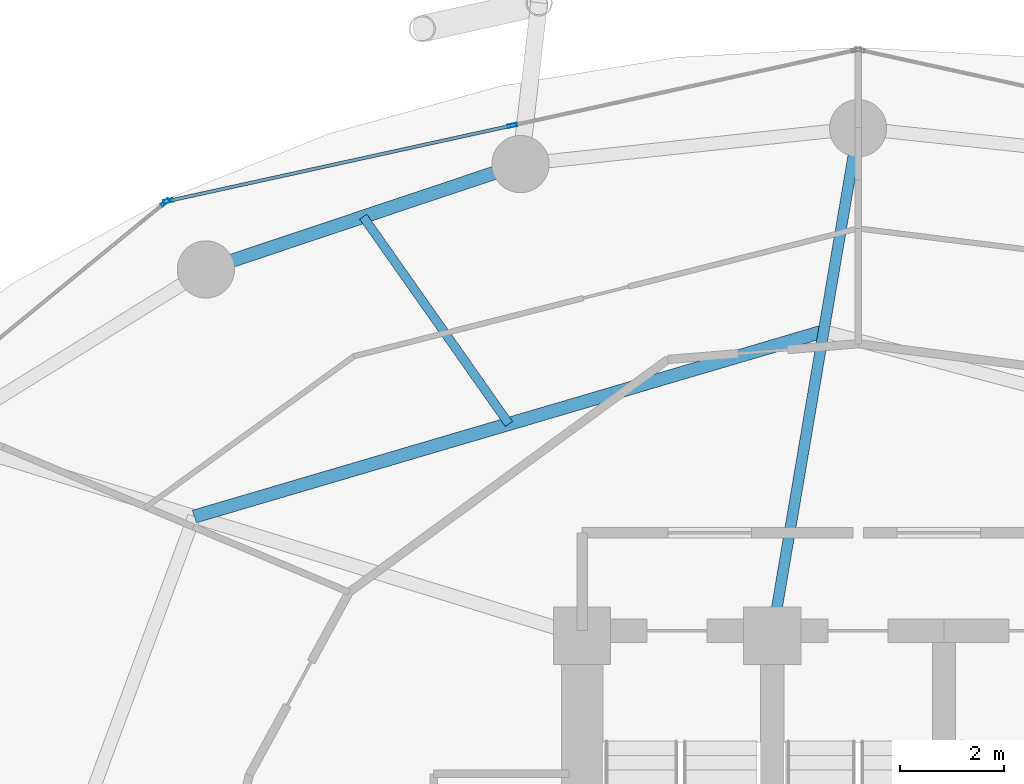
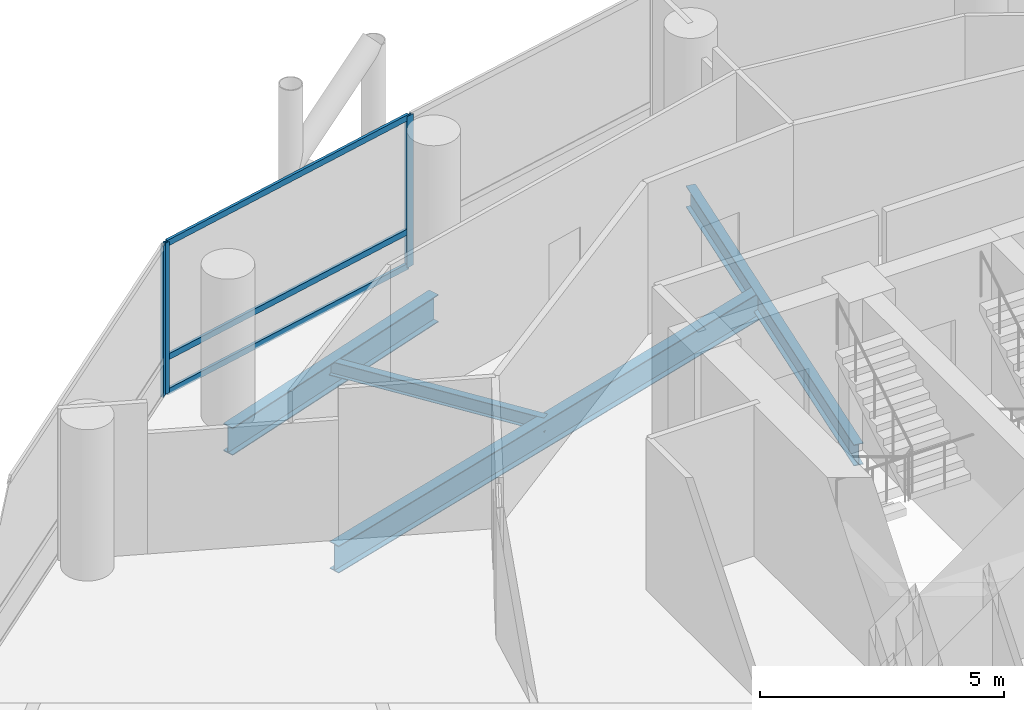
# One storey, part 15 of 25: 6 members, 4 beams, 2 elements without a shape of their own.
"""IFC4 building model written with IfcOpenShell, lengths in metres."""

from ifc_helpers import new_model, si_unit, direction, frame, origin, origin_2d, place, context, subcontext, project, spatial, hollow_rectangle, i_section, extrude, material, layer, layer_set, material_profile, profile_set, type_object, element, aggregate, save


model = new_model("IFC4")

# Units and contexts
model_context = context("Model", 3, precision=1e-05, world=origin(), true_north=direction((0.0, 1.0)))
body_context = subcontext(model_context, "Body", "Model", "MODEL_VIEW")
ifc_project = project(units=[si_unit("LENGTHUNIT", "METRE"), si_unit("AREAUNIT", "SQUARE_METRE"), si_unit("VOLUMEUNIT", "CUBIC_METRE"), si_unit("PLANEANGLEUNIT", "RADIAN"), si_unit("MASSUNIT", "GRAM", prefix="KILO")], contexts=[model_context])

# Site, building, storey
site_placement = place(None, origin())
site = spatial("IfcSite", under=ifc_project, at=site_placement, CompositionType="ELEMENT")
building_placement = place(site_placement, origin())
building = spatial("IfcBuilding", under=site, at=building_placement, Name="Nuhasar Tower", CompositionType="ELEMENT")
storey_placement = place(building_placement, frame((0.0, 0.0, 49.35009765625)))
storey = spatial("IfcBuildingStorey", under=building, at=storey_placement, Name="L11", CompositionType="ELEMENT", Elevation=49.35009765625)

# Beams
ifc_material_1 = material(Name="Steel S355", Category="steel")
ifc_material_profile_1 = material_profile(ifc_material_1, i_section(OverallWidth=0.25390625, OverallDepth=0.68408203125, WebThickness=0.012451171875, FlangeThickness=0.018798828125, at=origin_2d()), Name="W27X94")
ifc_profile_set_1 = profile_set([ifc_material_profile_1], Name="Steel S355")
beam_type_1 = type_object("IfcBeamType", Name="BM-INRING-W27X94", PredefinedType="BEAM", material=ifc_profile_set_1)
beam_1_placement = place(storey_placement, frame((38.340087890625, 43.14990234375, -0.60205078125), z_axis=(-0.959290190666, -0.28242225495, 0.0), x_axis=(0.28242225495, -0.959290190666, 0.0)))
element("IfcBeam", 1, at=beam_1_placement, inside=storey, type_object=beam_type_1, Name="L11 Inner Header Beam 06", PredefinedType="BEAM", context=body_context, shape_type="SweptSolid", body=[
    extrude(i_section(OverallWidth=0.25390625, OverallDepth=0.68408203125, WebThickness=0.012451171875, FlangeThickness=0.018798828125, at=origin_2d()), origin(), (0.0, 0.0, 1.0), 12.60107421875),
])
ifc_material_profile_2 = material_profile(ifc_material_1, i_section(OverallWidth=0.1708984375, OverallDepth=0.35205078125, WebThickness=0.0068359375, FlangeThickness=0.009765625, at=origin_2d()), Name="W14X30")
ifc_profile_set_2 = profile_set([ifc_material_profile_2], Name="Steel S355")
beam_type_2 = type_object("IfcBeamType", Name="BM-JST-W14X30", PredefinedType="JOIST", material=ifc_profile_set_2)
beam_2_placement = place(storey_placement, frame((32.2958984375, 41.3701171875, -0.43603515625), z_axis=(-0.575461088141, 0.817829160666, 0.0), x_axis=(-0.817829160666, -0.575461088141, 0.0)))
element("IfcBeam", 2, at=beam_2_placement, inside=storey, type_object=beam_type_2, Name="L11 Secondary Floor Joist 06", PredefinedType="JOIST", context=body_context, shape_type="SweptSolid", body=[
    extrude(i_section(OverallWidth=0.1708984375, OverallDepth=0.35205078125, WebThickness=0.0068359375, FlangeThickness=0.009765625, at=origin_2d()), origin(), (0.0, 0.0, 1.0), 4.865234375),
])
ifc_material_profile_3 = material_profile(ifc_material_1, i_section(OverallWidth=0.208984375, OverallDepth=0.532958984375, WebThickness=0.01025390625, FlangeThickness=0.015625, at=origin_2d()), Name="W21X62")
ifc_profile_set_3 = profile_set([ifc_material_profile_3], Name="Steel S355")
beam_type_3 = type_object("IfcBeamType", Name="BM-RAD-W21X62", PredefinedType="BEAM", material=ifc_profile_set_3)
beam_3_placement = place(storey_placement, frame((37.35009765625, 37.300048828125, -0.526123046875), z_axis=(0.166848703013, 0.98598251014, 0.0), x_axis=(-0.98598251014, 0.166848703013, 0.0)))
element("IfcBeam", 3, at=beam_3_placement, inside=storey, type_object=beam_type_3, Name="L11 Radial Floor Girder 06", PredefinedType="BEAM", context=body_context, shape_type="SweptSolid", body=[
    extrude(i_section(OverallWidth=0.208984375, OverallDepth=0.532958984375, WebThickness=0.01025390625, FlangeThickness=0.015625, at=origin_2d()), origin(), (0.0, 0.0, 1.0), 9.888671875),
])
ifc_material_profile_4 = material_profile(ifc_material_1, i_section(OverallWidth=0.256103515625, OverallDepth=0.693115234375, WebThickness=0.014404296875, FlangeThickness=0.023681640625, at=origin_2d()), Name="W27X114")
ifc_profile_set_4 = profile_set([ifc_material_profile_4], Name="Steel S355")
beam_type_4 = type_object("IfcBeamType", Name="BM-RING-W27X114", PredefinedType="SPANDREL", material=ifc_profile_set_4)
beam_4_placement = place(storey_placement, frame((32.51708984375, 46.360107421875, -0.606201171875), z_axis=(-0.948249435708, -0.317526388949, 0.0), x_axis=(0.317526388949, -0.948249435708, 0.0)))
element("IfcBeam", 4, at=beam_4_placement, inside=storey, type_object=beam_type_4, Name="L11 Perimeter Ring Spandrel 08", PredefinedType="SPANDREL", context=body_context, shape_type="SweptSolid", body=[
    extrude(i_section(OverallWidth=0.256103515625, OverallDepth=0.693115234375, WebThickness=0.014404296875, FlangeThickness=0.023681640625, at=origin_2d()), origin(), (0.0, 0.0, 1.0), 6.371826171875),
])

# Curtain wall, members
ifc_material_2 = material(Name="Aluminium 6063-T6", Category="aluminium")
ifc_layer = layer(ifc_material_2, 0.199951171875)
ifc_layer_set = layer_set([ifc_layer], Name="Aluminium 6063-T6")
curtain_wall_type = type_object("IfcCurtainWallType", Name="CW-Z1-OFF", PredefinedType="NOTDEFINED", material=ifc_layer_set)
curtain_wall_1_placement = place(storey_placement, origin())
curtain_wall_1 = element("IfcCurtainWall", 5, at=curtain_wall_1_placement, inside=storey, type_object=curtain_wall_type, Name="L11 Unitised Curtain Wall 04", PredefinedType="NOTDEFINED")
ifc_material_profile_5 = material_profile(ifc_material_2, hollow_rectangle(XDim=0.06494140625, YDim=0.179931640625, WallThickness=0.0048828125, at=origin_2d()), Name="CWM-2")
ifc_profile_set_5 = profile_set([ifc_material_profile_5], Name="Aluminium 6063-T6")
member_type_1 = type_object("IfcMemberType", Name="CW-MUL-S2", PredefinedType="MULLION", material=ifc_profile_set_5)
member_1_placement = place(storey_placement, frame((32.360107421875, 47.1025390625, 0.0), z_axis=(0.0, 0.0, 1.0), x_axis=(0.214398737637, -0.976746221544, 0.0)))
member_1 = element("IfcMember", 6, at=member_1_placement, type_object=member_type_1, Name="CW-Z1 mullion 2", PredefinedType="MULLION", context=body_context, shape_type="SweptSolid", body=[
    extrude(hollow_rectangle(XDim=0.06494140625, YDim=0.179931640625, WallThickness=0.0048828125, at=origin_2d()), origin(), (0.0, 0.0, 1.0), 3.789794921875),
])
member_2_placement = place(storey_placement, frame((25.751708984375, 45.65185546875, 0.0), z_axis=(0.0, 0.0, 1.0), x_axis=(0.214398737637, -0.976746221544, 0.0)))
member_2 = element("IfcMember", 7, at=member_2_placement, type_object=member_type_1, Name="CW-Z1 mullion 3", PredefinedType="MULLION", context=body_context, shape_type="SweptSolid", body=[
    extrude(hollow_rectangle(XDim=0.06494140625, YDim=0.179931640625, WallThickness=0.0048828125, at=origin_2d()), origin(), (0.0, 0.0, 1.0), 3.789794921875),
])

# Curtain wall, member
curtain_wall_2_placement = place(storey_placement, origin())
curtain_wall_2 = element("IfcCurtainWall", 8, at=curtain_wall_2_placement, inside=storey, type_object=curtain_wall_type, Name="L11 Unitised Curtain Wall 05", PredefinedType="NOTDEFINED")
member_3_placement = place(storey_placement, frame((25.69482421875, 45.62451171875, 0.0), z_axis=(0.0, 0.0, 1.0), x_axis=(0.633744593376, -0.773542364946, 0.0)))
member_3 = element("IfcMember", 9, at=member_3_placement, type_object=member_type_1, Name="CW-Z1 mullion 1", PredefinedType="MULLION", context=body_context, shape_type="SweptSolid", body=[
    extrude(hollow_rectangle(XDim=0.06494140625, YDim=0.179931640625, WallThickness=0.0048828125, at=origin_2d()), origin(), (0.0, 0.0, 1.0), 3.789794921875),
])
aggregate(curtain_wall_2, [member_3])

# Member
ifc_material_profile_6 = material_profile(ifc_material_2, hollow_rectangle(XDim=0.06494140625, YDim=0.14990234375, WallThickness=0.00439453125, at=origin_2d()), Name="CWT-2")
ifc_profile_set_6 = profile_set([ifc_material_profile_6], Name="Aluminium 6063-T6")
member_type_2 = type_object("IfcMemberType", Name="CW-TRN-S2", PredefinedType="USERDEFINED", material=ifc_profile_set_6)
member_4_placement = place(storey_placement, frame((32.328369140625, 47.095458984375, 0.032470703125), z_axis=(-0.976749553792, -0.214383556196, 0.0), x_axis=(0.214383556196, -0.976749553792, 0.0)))
member_4 = element("IfcMember", 10, at=member_4_placement, type_object=member_type_2, Name="CW-Z1 transom 2.1", ObjectType="TRANSOM", PredefinedType="USERDEFINED", context=body_context, shape_type="SweptSolid", body=[
    extrude(hollow_rectangle(XDim=0.06494140625, YDim=0.14990234375, WallThickness=0.00439453125, at=origin_2d()), origin(), (0.0, 0.0, 1.0), 6.70068359375),
])

member_5_placement = place(storey_placement, frame((32.328369140625, 47.095458984375, 0.89990234375), z_axis=(-0.976749553792, -0.214383556196, 0.0), x_axis=(0.214383556196, -0.976749553792, 0.0)))
member_5 = element("IfcMember", 11, at=member_5_placement, type_object=member_type_2, Name="CW-Z1 transom 2.2", ObjectType="TRANSOM", PredefinedType="USERDEFINED", context=body_context, shape_type="SweptSolid", body=[
    extrude(hollow_rectangle(XDim=0.06494140625, YDim=0.14990234375, WallThickness=0.00439453125, at=origin_2d()), origin(), (0.0, 0.0, 1.0), 6.70068359375),
])

member_6_placement = place(storey_placement, frame((32.328369140625, 47.095458984375, 3.75732421875), z_axis=(-0.976749553792, -0.214383556196, 0.0), x_axis=(0.214383556196, -0.976749553792, 0.0)))
member_6 = element("IfcMember", 12, at=member_6_placement, type_object=member_type_2, Name="CW-Z1 transom 2.3", ObjectType="TRANSOM", PredefinedType="USERDEFINED", context=body_context, shape_type="SweptSolid", body=[
    extrude(hollow_rectangle(XDim=0.06494140625, YDim=0.14990234375, WallThickness=0.00439453125, at=origin_2d()), origin(), (0.0, 0.0, 1.0), 6.70068359375),
])

aggregate(curtain_wall_1, [member_1, member_2, member_4, member_5, member_6])

save(model, "model.ifc")
